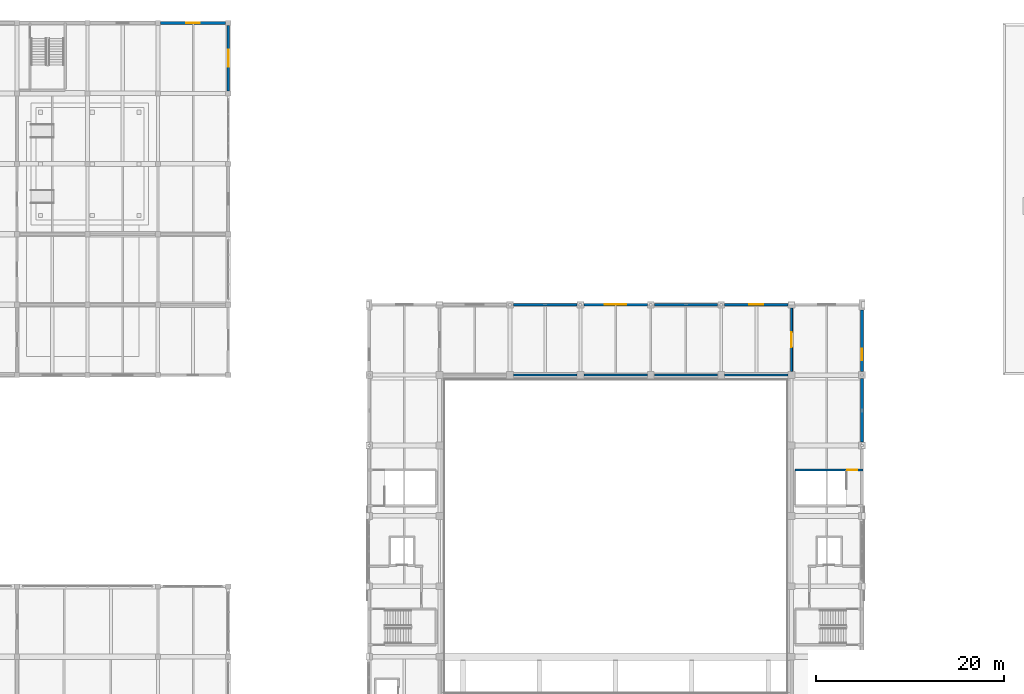
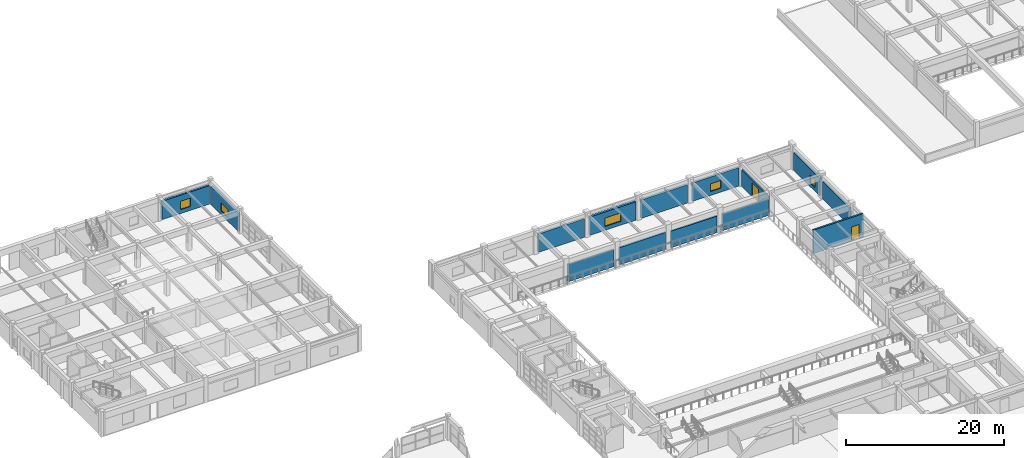
# One storey, part 81 of 101: 14 walls, 5 windows, 2 doors, 7 openings.
"""IFC4 building model written with IfcOpenShell, lengths in metres."""

from ifc_helpers import new_model, si_unit, direction, frame, frame_2d, origin, place, context, subcontext, project, spatial, rectangle, extrude, material, layer, layer_set, type_object, element, fill, save


model = new_model("IFC4")

# Units and contexts
model_context = context("Model", 3, precision=1e-05, world=origin(), true_north=direction((0.0, 1.0)))
body_context = subcontext(model_context, "Body", "Model", "MODEL_VIEW")
ifc_project = project(units=[si_unit("LENGTHUNIT", "METRE"), si_unit("AREAUNIT", "SQUARE_METRE"), si_unit("VOLUMEUNIT", "CUBIC_METRE"), si_unit("PLANEANGLEUNIT", "RADIAN"), si_unit("MASSUNIT", "GRAM", prefix="KILO")], contexts=[model_context])

# Site, building, storey
site_placement = place(None, origin())
site = spatial("IfcSite", under=ifc_project, at=site_placement, CompositionType="ELEMENT")
building_placement = place(site_placement, origin())
building = spatial("IfcBuilding", under=site, at=building_placement, Name="Qasida Concert Hall", CompositionType="ELEMENT")
storey_placement = place(building_placement, frame((0.0, 0.0, 13.199951171875)))
storey = spatial("IfcBuildingStorey", under=building, at=storey_placement, Name="L03", CompositionType="ELEMENT", Elevation=13.199951171875)

# Wall, opening, door
ifc_material_1 = material(Name="Concrete C40/50", Category="concrete")
ifc_layer_1 = layer(ifc_material_1, 0.25, Name="Concrete C40/50")
ifc_layer_set_1 = layer_set([ifc_layer_1], Name="Concrete C40/50")
wall_type_1 = type_object("IfcWallType", Name="WL-CW-250", PredefinedType="SOLIDWALL", material=ifc_layer_set_1)
wall_1_placement = place(storey_placement, frame((97.860107421875, 64.885009765625, 0.0), z_axis=(0.0, 0.0, 1.0), x_axis=(1.0, 0.0, 0.0)))
wall_1 = element("IfcWall", 1, at=wall_1_placement, inside=storey, type_object=wall_type_1, Name="L03 ST-12 stairwell wall N", PredefinedType="SOLIDWALL", context=body_context, shape_type="SweptSolid", body=[
    extrude(rectangle(XDim=7.260009765625, YDim=0.25, at=frame_2d((3.6298828125, 0.0))), origin(), (0.0, 0.0, 1.0), 3.6201171875),
])
opening_1_placement = place(wall_1_placement, frame((5.5400390625, 0.0, 0.0)))
opening_1 = element("IfcOpeningElement", 2, at=opening_1_placement, cuts=wall_1, Name="Opening FD-110", PredefinedType="OPENING", context=body_context, shape_type="SweptSolid", body=[
    extrude(rectangle(XDim=1.10009765625, YDim=2.14990234375, at=frame_2d((0.550048828125, 1.074951171875))), frame((0.0, 0.135009765625, 0.0), z_axis=(0.0, -1.0, 0.0), x_axis=(1.0, 0.0, 0.0)), (0.0, 0.0, 1.0), 0.27001953125),
])
ifc_material_2 = material(Name="Steel fire-rated stair/lobby door set", Category="steel")
door_type_1 = type_object("IfcDoorType", Name="FD-110", OperationType="NOTDEFINED", PredefinedType="DOOR", material=ifc_material_2)
door_1_placement = place(opening_1_placement, frame((1.10009765625, 0.0, 0.0), z_axis=(0.0, 0.0, 1.0), x_axis=(-1.0, 0.0, 0.0)))
door_1 = element("IfcDoor", 3, at=door_1_placement, inside=storey, type_object=door_type_1, Name="L03 ST-12 rated stair door", OperationType="SINGLE_SWING_RIGHT", OverallHeight=2.14990234375, OverallWidth=1.10009765625, PredefinedType="DOOR", context=body_context, shape_type="SweptSolid", body=[
    extrude(rectangle(XDim=1.10009765625, YDim=2.14990234375, at=frame_2d((0.550048828125, 1.074951171875))), frame((0.0, 0.02490234375, 0.0), z_axis=(0.0, -1.0, 0.0), x_axis=(1.0, 0.0, 0.0)), (0.0, 0.0, 1.0), 0.050048828125),
])
fill(opening_1, door_1)

# Wall
ifc_material_3 = material(Name="Precast concrete C40/50", Category="concrete")
ifc_layer_2 = layer(ifc_material_3, 0.300048828125, Name="Precast concrete C40/50")
ifc_layer_set_2 = layer_set([ifc_layer_2], Name="Precast concrete C40/50")
wall_type_2 = type_object("IfcWallType", Name="WL-EW-300", PredefinedType="SOLIDWALL", material=ifc_layer_set_2)
wall_2_placement = place(storey_placement, frame((105.0, 67.875, 0.0), z_axis=(0.0, 0.0, 1.0), x_axis=(0.0, 1.0, 0.0)))
element("IfcWall", 4, at=wall_2_placement, inside=storey, type_object=wall_type_2, Name="L03 exterior wall EW-300 0069", PredefinedType="SOLIDWALL", context=body_context, shape_type="SweptSolid", body=[
    extrude(rectangle(XDim=6.75, YDim=0.300048828125, at=frame_2d((3.375, 0.0))), origin(), (0.0, 0.0, 1.0), 2.68994140625),
])

# Wall, opening, window
wall_3_placement = place(storey_placement, frame((105.0, 75.375, 0.0), z_axis=(0.0, 0.0, 1.0), x_axis=(0.0, 1.0, 0.0)))
wall_3 = element("IfcWall", 5, at=wall_3_placement, inside=storey, type_object=wall_type_2, Name="L03 exterior wall EW-300 0071", PredefinedType="SOLIDWALL", context=body_context, shape_type="SweptSolid", body=[
    extrude(rectangle(XDim=6.570068359375, YDim=0.300048828125, at=frame_2d((3.28515625, 0.0))), origin(), (0.0, 0.0, 1.0), 2.739990234375),
])
opening_2_placement = place(wall_3_placement, frame((1.2099609375, 0.0, 0.60009765625)))
opening_2 = element("IfcOpeningElement", 6, at=opening_2_placement, cuts=wall_3, Name="Opening WN-17", PredefinedType="OPENING", context=body_context, shape_type="SweptSolid", body=[
    extrude(rectangle(XDim=1.199951171875, YDim=1.199951171875, at=frame_2d((0.60009765625, 0.60009765625))), frame((0.0, 0.159912109375, 0.0), z_axis=(0.0, -1.0, 0.0), x_axis=(1.0, 0.0, 0.0)), (0.0, 0.0, 1.0), 0.320068359375),
])
ifc_material_4 = material(Name="Bronze-anodized aluminium frame with acoustic low-E glazing", Category="aluminium")
window_type_1 = type_object("IfcWindowType", Name="WN-17", PartitioningType="SINGLE_PANEL", PredefinedType="WINDOW", material=ifc_material_4)
window_1_placement = place(opening_2_placement, origin())
window_1 = element("IfcWindow", 7, at=window_1_placement, inside=storey, type_object=window_type_1, Name="L03 window WN-17 0022", OverallHeight=1.199951171875, OverallWidth=1.199951171875, PartitioningType="SINGLE_PANEL", PredefinedType="WINDOW", context=body_context, shape_type="SweptSolid", body=[
    extrude(rectangle(XDim=1.199951171875, YDim=1.199951171875, at=frame_2d((0.60009765625, 0.60009765625))), frame((0.0, 0.030029296875, 0.0), z_axis=(0.0, -1.0, 0.0), x_axis=(1.0, 0.0, 0.0)), (0.0, 0.0, 1.0), 0.06005859375),
])
fill(opening_2, window_1)

# Wall
wall_4_placement = place(storey_placement, frame((67.875, 82.5, 0.0), z_axis=(0.0, 0.0, 1.0), x_axis=(1.0, 0.0, 0.0)))
element("IfcWall", 8, at=wall_4_placement, inside=storey, type_object=wall_type_2, Name="L03 exterior wall EW-300 0074", PredefinedType="SOLIDWALL", context=body_context, shape_type="SweptSolid", body=[
    extrude(rectangle(XDim=6.75, YDim=0.300048828125, at=frame_2d((3.375, 0.0))), origin(), (0.0, 0.0, 1.0), 2.840087890625),
])

# Wall, opening, window
wall_5_placement = place(storey_placement, frame((75.375, 82.5, 0.0), z_axis=(0.0, 0.0, 1.0), x_axis=(1.0, 0.0, 0.0)))
wall_5 = element("IfcWall", 9, at=wall_5_placement, inside=storey, type_object=wall_type_2, Name="L03 exterior wall EW-300 0075", PredefinedType="SOLIDWALL", context=body_context, shape_type="SweptSolid", body=[
    extrude(rectangle(XDim=6.75, YDim=0.300048828125, at=frame_2d((3.375, 0.0))), origin(), (0.0, 0.0, 1.0), 2.840087890625),
])
opening_3_placement = place(wall_5_placement, frame((2.22509765625, 0.0, 0.60009765625)))
opening_3 = element("IfcOpeningElement", 10, at=opening_3_placement, cuts=wall_5, Name="Opening WN-16", PredefinedType="OPENING", context=body_context, shape_type="SweptSolid", body=[
    extrude(rectangle(XDim=2.300048828125, YDim=1.300048828125, at=frame_2d((1.14990234375, 0.64990234375))), frame((0.0, 0.159912109375, 0.0), z_axis=(0.0, -1.0, 0.0), x_axis=(1.0, 0.0, 0.0)), (0.0, 0.0, 1.0), 0.320068359375),
])
window_type_2 = type_object("IfcWindowType", Name="WN-16", PartitioningType="SINGLE_PANEL", PredefinedType="WINDOW", material=ifc_material_4)
window_2_placement = place(opening_3_placement, origin())
window_2 = element("IfcWindow", 11, at=window_2_placement, inside=storey, type_object=window_type_2, Name="L03 window WN-16 0025", OverallHeight=1.300048828125, OverallWidth=2.300048828125, PartitioningType="SINGLE_PANEL", PredefinedType="WINDOW", context=body_context, shape_type="SweptSolid", body=[
    extrude(rectangle(XDim=2.300048828125, YDim=1.300048828125, at=frame_2d((1.14990234375, 0.64990234375))), frame((0.0, 0.030029296875, 0.0), z_axis=(0.0, -1.0, 0.0), x_axis=(1.0, 0.0, 0.0)), (0.0, 0.0, 1.0), 0.06005859375),
])
fill(opening_3, window_2)

# Wall
wall_6_placement = place(storey_placement, frame((82.875, 82.5, 0.0), z_axis=(0.0, 0.0, 1.0), x_axis=(1.0, 0.0, 0.0)))
element("IfcWall", 12, at=wall_6_placement, inside=storey, type_object=wall_type_2, Name="L03 exterior wall EW-300 0076", PredefinedType="SOLIDWALL", context=body_context, shape_type="SweptSolid", body=[
    extrude(rectangle(XDim=6.75, YDim=0.300048828125, at=frame_2d((3.375, 0.0))), origin(), (0.0, 0.0, 1.0), 2.840087890625),
])

# Wall, opening, window
wall_7_placement = place(storey_placement, frame((90.375, 82.5, 0.0), z_axis=(0.0, 0.0, 1.0), x_axis=(1.0, 0.0, 0.0)))
wall_7 = element("IfcWall", 13, at=wall_7_placement, inside=storey, type_object=wall_type_2, Name="L03 exterior wall EW-300 0077", PredefinedType="SOLIDWALL", context=body_context, shape_type="SweptSolid", body=[
    extrude(rectangle(XDim=6.75, YDim=0.300048828125, at=frame_2d((3.375, 0.0))), origin(), (0.0, 0.0, 1.0), 2.840087890625),
])
opening_4_placement = place(wall_7_placement, frame((2.625, 0.0, 0.60009765625)))
opening_4 = element("IfcOpeningElement", 14, at=opening_4_placement, cuts=wall_7, Name="Opening WN-18", PredefinedType="OPENING", context=body_context, shape_type="SweptSolid", body=[
    extrude(rectangle(XDim=1.5, YDim=1.199951171875, at=frame_2d((0.75, 0.60009765625))), frame((0.0, 0.159912109375, 0.0), z_axis=(0.0, -1.0, 0.0), x_axis=(1.0, 0.0, 0.0)), (0.0, 0.0, 1.0), 0.320068359375),
])
window_type_3 = type_object("IfcWindowType", Name="WN-18", PartitioningType="SINGLE_PANEL", PredefinedType="WINDOW", material=ifc_material_4)
window_3_placement = place(opening_4_placement, origin())
window_3 = element("IfcWindow", 15, at=window_3_placement, inside=storey, type_object=window_type_3, Name="L03 window WN-18 0026", OverallHeight=1.199951171875, OverallWidth=1.5, PartitioningType="SINGLE_PANEL", PredefinedType="WINDOW", context=body_context, shape_type="SweptSolid", body=[
    extrude(rectangle(XDim=1.5, YDim=1.199951171875, at=frame_2d((0.75, 0.60009765625))), frame((0.0, 0.030029296875, 0.0), z_axis=(0.0, -1.0, 0.0), x_axis=(1.0, 0.0, 0.0)), (0.0, 0.0, 1.0), 0.06005859375),
])
fill(opening_4, window_3)

wall_8_placement = place(storey_placement, frame((30.284912109375, 112.5, 0.0), z_axis=(0.0, 0.0, 1.0), x_axis=(1.0, 0.0, 0.0)))
wall_8 = element("IfcWall", 16, at=wall_8_placement, inside=storey, type_object=wall_type_2, Name="L03 exterior wall EW-300 0282", PredefinedType="SOLIDWALL", context=body_context, shape_type="SweptSolid", body=[
    extrude(rectangle(XDim=6.93017578125, YDim=0.300048828125, at=frame_2d((3.465087890625, 0.0))), origin(), (0.0, 0.0, 1.0), 2.840087890625),
])
opening_5_placement = place(wall_8_placement, frame((2.739990234375, 0.0, 0.60009765625)))
opening_5 = element("IfcOpeningElement", 17, at=opening_5_placement, cuts=wall_8, Name="Opening WN-11", PredefinedType="OPENING", context=body_context, shape_type="SweptSolid", body=[
    extrude(rectangle(XDim=1.449951171875, YDim=1.300048828125, at=frame_2d((0.72509765625, 0.64990234375))), frame((0.0, 0.159912109375, 0.0), z_axis=(0.0, -1.0, 0.0), x_axis=(1.0, 0.0, 0.0)), (0.0, 0.0, 1.0), 0.320068359375),
])
window_type_4 = type_object("IfcWindowType", Name="WN-11", PartitioningType="SINGLE_PANEL", PredefinedType="WINDOW", material=ifc_material_4)
window_4_placement = place(opening_5_placement, origin())
window_4 = element("IfcWindow", 18, at=window_4_placement, inside=storey, type_object=window_type_4, Name="L03 window WN-11 0152", OverallHeight=1.300048828125, OverallWidth=1.449951171875, PartitioningType="SINGLE_PANEL", PredefinedType="WINDOW", context=body_context, shape_type="SweptSolid", body=[
    extrude(rectangle(XDim=1.449951171875, YDim=1.300048828125, at=frame_2d((0.72509765625, 0.64990234375))), frame((0.0, 0.030029296875, 0.0), z_axis=(0.0, -1.0, 0.0), x_axis=(1.0, 0.0, 0.0)), (0.0, 0.0, 1.0), 0.06005859375),
])
fill(opening_5, window_4)

wall_9_placement = place(storey_placement, frame((37.5, 105.284912109375, 0.0), z_axis=(0.0, 0.0, 1.0), x_axis=(0.0, 1.0, 0.0)))
wall_9 = element("IfcWall", 19, at=wall_9_placement, inside=storey, type_object=wall_type_2, Name="L03 exterior wall EW-300 0291", PredefinedType="SOLIDWALL", context=body_context, shape_type="SweptSolid", body=[
    extrude(rectangle(XDim=6.93017578125, YDim=0.300048828125, at=frame_2d((3.465087890625, 0.0))), origin(), (0.0, 0.0, 1.0), 2.7900390625),
])
opening_6_placement = place(wall_9_placement, frame((2.56494140625, 0.0, 0.60009765625)))
opening_6 = element("IfcOpeningElement", 20, at=opening_6_placement, cuts=wall_9, Name="Opening WN-19", PredefinedType="OPENING", context=body_context, shape_type="SweptSolid", body=[
    extrude(rectangle(XDim=1.800048828125, YDim=1.199951171875, at=frame_2d((0.89990234375, 0.60009765625))), frame((0.0, 0.159912109375, 0.0), z_axis=(0.0, -1.0, 0.0), x_axis=(1.0, 0.0, 0.0)), (0.0, 0.0, 1.0), 0.320068359375),
])
window_type_5 = type_object("IfcWindowType", Name="WN-19", PartitioningType="SINGLE_PANEL", PredefinedType="WINDOW", material=ifc_material_4)
window_5_placement = place(opening_6_placement, origin())
window_5 = element("IfcWindow", 21, at=window_5_placement, inside=storey, type_object=window_type_5, Name="L03 window WN-19 0158", OverallHeight=1.199951171875, OverallWidth=1.800048828125, PartitioningType="SINGLE_PANEL", PredefinedType="WINDOW", context=body_context, shape_type="SweptSolid", body=[
    extrude(rectangle(XDim=1.800048828125, YDim=1.199951171875, at=frame_2d((0.89990234375, 0.60009765625))), frame((0.0, 0.030029296875, 0.0), z_axis=(0.0, -1.0, 0.0), x_axis=(1.0, 0.0, 0.0)), (0.0, 0.0, 1.0), 0.06005859375),
])
fill(opening_6, window_5)

# Wall, opening, door
ifc_material_5 = material(Name="Acoustic gypsum block and mineral wool", Category="gypsum")
ifc_layer_3 = layer(ifc_material_5, 0.199951171875, Name="Acoustic gypsum block and mineral wool")
ifc_layer_set_3 = layer_set([ifc_layer_3], Name="Acoustic gypsum block and mineral wool")
wall_type_3 = type_object("IfcWallType", Name="WL-PW-200", PredefinedType="PARTITIONING", material=ifc_layer_set_3)
wall_10_placement = place(storey_placement, frame((97.5, 75.3740234375, 0.0), z_axis=(0.0, 0.0, 1.0), x_axis=(0.0, 1.0, 0.0)))
wall_10 = element("IfcWall", 22, at=wall_10_placement, inside=storey, type_object=wall_type_3, Name="L03 partition PW-200 0500", PredefinedType="PARTITIONING", context=body_context, shape_type="SweptSolid", body=[
    extrude(rectangle(XDim=6.751953125, YDim=0.199951171875, at=frame_2d((3.3759765625, 0.0))), origin(), (0.0, 0.0, 1.0), 2.5400390625),
])
opening_7_placement = place(wall_10_placement, frame((2.575927734375, 0.0, 0.0)))
opening_7 = element("IfcOpeningElement", 23, at=opening_7_placement, cuts=wall_10, Name="Opening FD-160", PredefinedType="OPENING", context=body_context, shape_type="SweptSolid", body=[
    extrude(rectangle(XDim=1.60009765625, YDim=2.14990234375, at=frame_2d((0.800048828125, 1.074951171875))), frame((0.0, 0.10986328125, 0.0), z_axis=(0.0, -1.0, 0.0), x_axis=(1.0, 0.0, 0.0)), (0.0, 0.0, 1.0), 0.219970703125),
])
ifc_material_6 = material(Name="Double-leaf acoustic fire door", Category="steel")
door_type_2 = type_object("IfcDoorType", Name="FD-160", OperationType="NOTDEFINED", PredefinedType="DOOR", material=ifc_material_6)
door_2_placement = place(opening_7_placement, origin())
door_2 = element("IfcDoor", 24, at=door_2_placement, inside=storey, type_object=door_type_2, Name="L03 L03 north gallery east fire door", OperationType="SINGLE_SWING_LEFT", OverallHeight=2.14990234375, OverallWidth=1.60009765625, PredefinedType="DOOR", context=body_context, shape_type="SweptSolid", body=[
    extrude(rectangle(XDim=1.60009765625, YDim=2.14990234375, at=frame_2d((0.800048828125, 1.074951171875))), frame((0.0, 0.02490234375, 0.0), z_axis=(0.0, -1.0, 0.0), x_axis=(1.0, 0.0, 0.0)), (0.0, 0.0, 1.0), 0.050048828125),
])
fill(opening_7, door_2)

# Walls
ifc_material_7 = material(Name="Double-stud acoustic gypsum and mineral wool", Category="gypsum")
ifc_layer_4 = layer(ifc_material_7, 0.239990234375, Name="Double-stud acoustic gypsum and mineral wool")
ifc_layer_set_4 = layer_set([ifc_layer_4], Name="Double-stud acoustic gypsum and mineral wool")
wall_type_4 = type_object("IfcWallType", Name="WL-PW-240", PredefinedType="PARTITIONING", material=ifc_layer_set_4)
for number, where, z_axis, x_axis, name in (
    (25, (67.8740234375, 75.0, 0.0), (0.0, 0.0, 1.0), (1.0, 0.0, 0.0), "L03 partition PW-240 0495"),
    (26, (75.3740234375, 75.0, 0.0), (0.0, 0.0, 1.0), (1.0, 0.0, 0.0), "L03 partition PW-240 0496"),
):
    element("IfcWall", number, at=place(storey_placement, frame(where, z_axis=z_axis, x_axis=x_axis)), inside=storey, type_object=wall_type_4, Name=name, PredefinedType="PARTITIONING", context=body_context, shape_type="SweptSolid", body=[
        extrude(rectangle(XDim=6.751953125, YDim=0.239990234375, at=frame_2d((3.3759765625, 0.0))), origin(), (0.0, 0.0, 1.0), 2.64013671875),
    ])
for number, where, z_axis, x_axis, name in (
    (27, (82.8740234375, 75.0, 0.0), (0.0, 0.0, 1.0), (1.0, 0.0, 0.0), "L03 partition PW-240 0497"),
    (28, (90.3740234375, 75.0, 0.0), (0.0, 0.0, 1.0), (1.0, 0.0, 0.0), "L03 partition PW-240 0498"),
):
    element("IfcWall", number, at=place(storey_placement, frame(where, z_axis=z_axis, x_axis=x_axis)), inside=storey, type_object=wall_type_4, Name=name, PredefinedType="PARTITIONING", context=body_context, shape_type="SweptSolid", body=[
        extrude(rectangle(XDim=6.751953125, YDim=0.239990234375, at=frame_2d((3.3759765625, 0.0))), origin(), (0.0, 0.0, 1.0), 2.5400390625),
    ])

save(model, "model.ifc")
